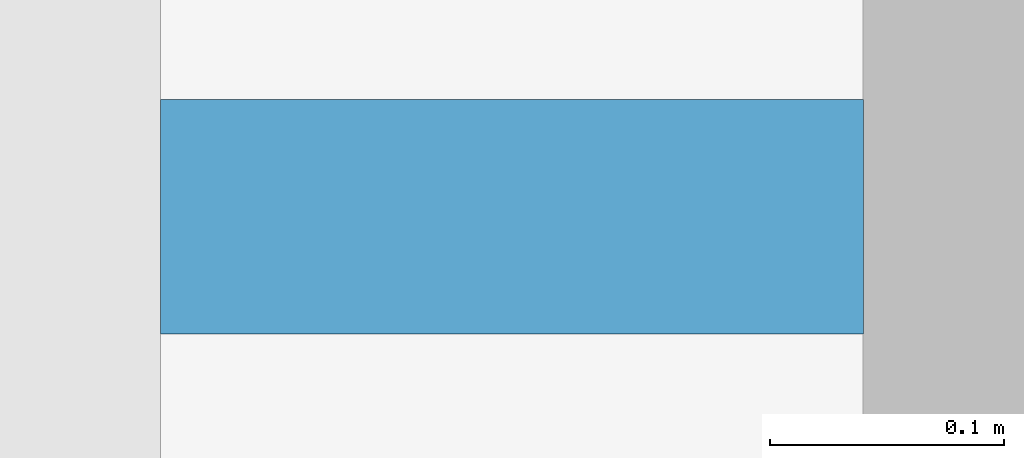
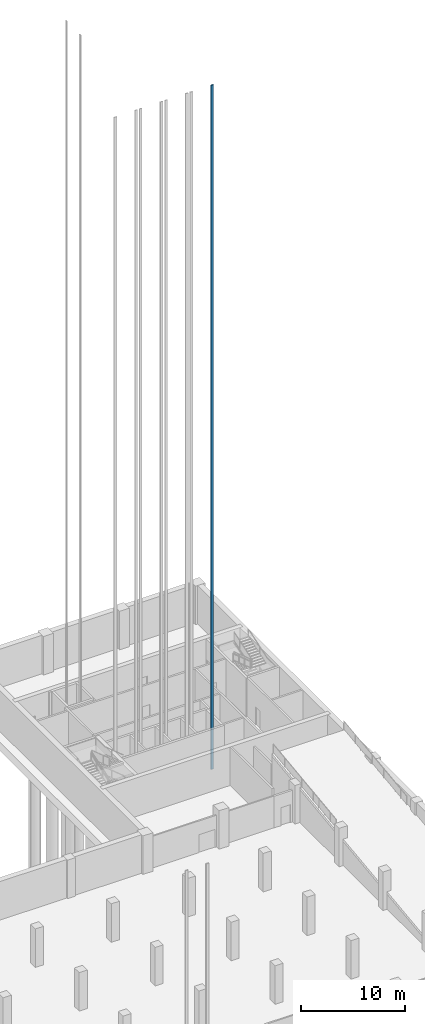
# One storey, part 19 of 26: 1 discrete accessory.
"""IFC4 building model written with IfcOpenShell, lengths in metres."""

from ifc_helpers import new_model, si_unit, direction, frame, origin, origin_2d, place, context, subcontext, project, spatial, rectangle, extrude, material, type_object, element, save


model = new_model("IFC4")

# Units and contexts
model_context = context("Model", 3, precision=1e-05, world=origin(), true_north=direction((0.0, 1.0)))
body_context = subcontext(model_context, "Body", "Model", "MODEL_VIEW")
ifc_project = project(units=[si_unit("LENGTHUNIT", "METRE"), si_unit("AREAUNIT", "SQUARE_METRE"), si_unit("VOLUMEUNIT", "CUBIC_METRE"), si_unit("PLANEANGLEUNIT", "RADIAN"), si_unit("MASSUNIT", "GRAM", prefix="KILO")], contexts=[model_context])

# Site, building, storey
site_placement = place(None, origin())
site = spatial("IfcSite", under=ifc_project, at=site_placement, CompositionType="ELEMENT")
building_placement = place(site_placement, origin())
building = spatial("IfcBuilding", under=site, at=building_placement, Name="Rulbaag Community and Learning Centre", CompositionType="ELEMENT")
storey_placement = place(building_placement, frame((0.0, 0.0, -9.60009765625)))
storey = spatial("IfcBuildingStorey", under=building, at=storey_placement, Name="B2", CompositionType="ELEMENT", Elevation=-9.60009765625)

# Discrete accessory
ifc_material = material(Name="Steel E350", Category="steel")
discrete_accessory_type = type_object("IfcDiscreteAccessoryType", Name="LR-GUIDE RAIL 300 x 100", PredefinedType="BRACKET", material=ifc_material)
discrete_accessory_placement = place(storey_placement, frame((157.85009765625, 97.25, -1.5), z_axis=(0.0, 0.0, 1.0), x_axis=(1.0, 0.0, 0.0)))
element("IfcDiscreteAccessory", 1, at=discrete_accessory_placement, inside=storey, type_object=discrete_accessory_type, Name="Guide rail LP4 E", PredefinedType="BRACKET", context=body_context, shape_type="SweptSolid", body=[
    extrude(rectangle(XDim=0.300048828125, YDim=0.10009765625, at=origin_2d()), origin(), (0.0, 0.0, 1.0), 80.0),
])

save(model, "model.ifc")
